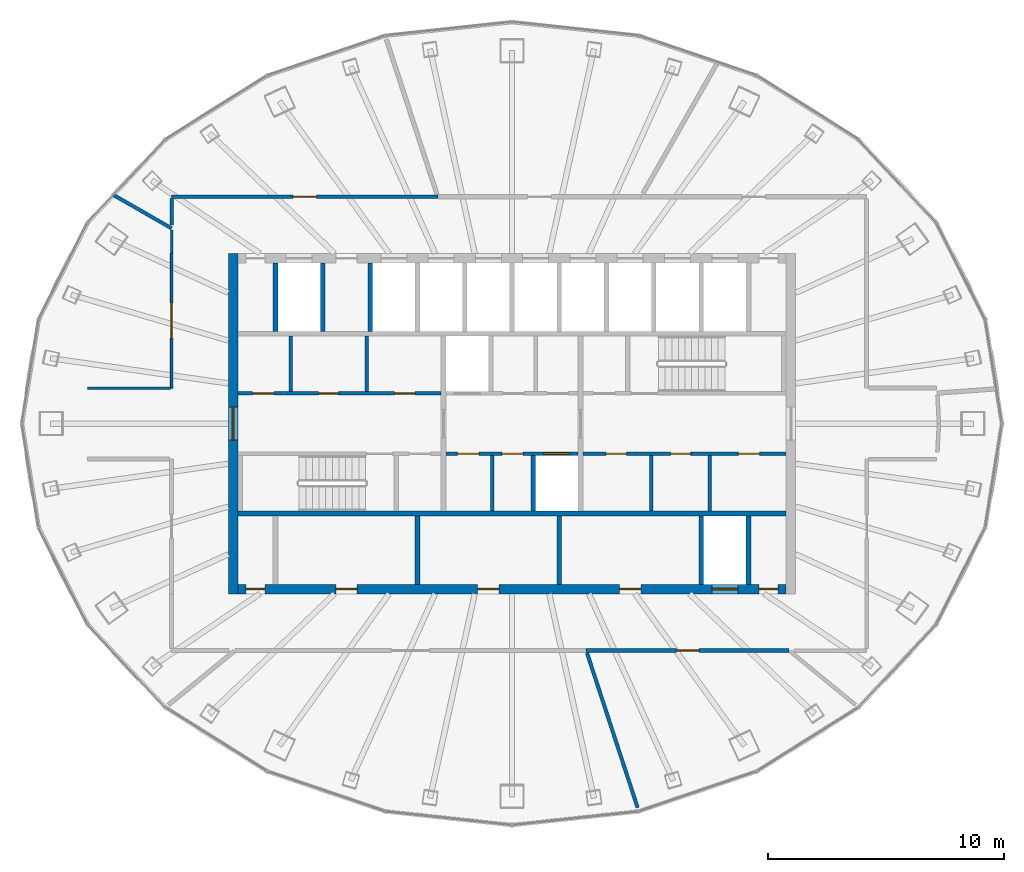
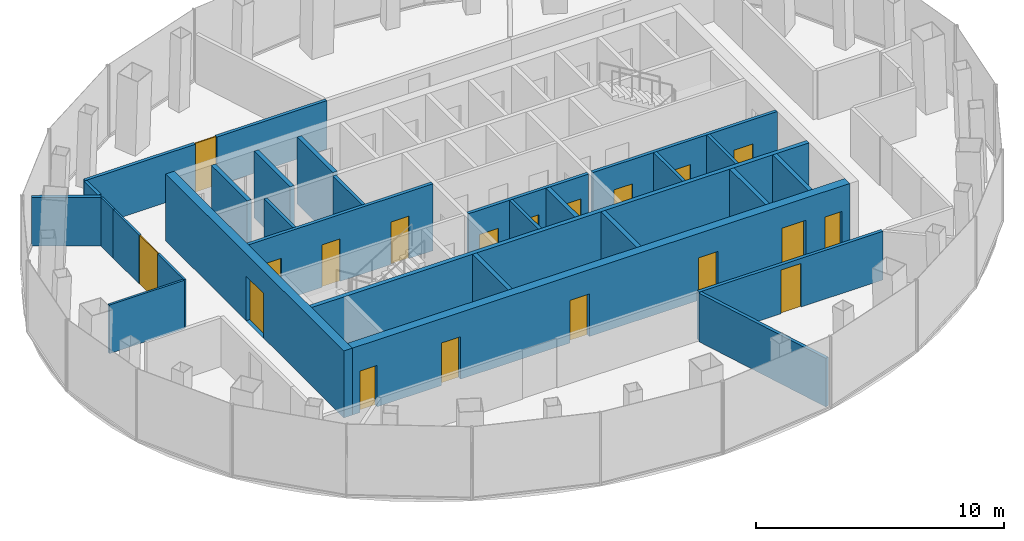
# One storey, part 8 of 11: 27 walls, 19 doors, 19 openings.
"""IFC4 building model written with IfcOpenShell, lengths in metres."""

from ifc_helpers import new_model, si_unit, direction, frame, frame_2d, origin, place, context, subcontext, project, spatial, rectangle, extrude, material, layer, layer_set, type_object, element, fill, save


model = new_model("IFC4")

# Units and contexts
model_context = context("Model", 3, precision=1e-05, world=origin(), true_north=direction((0.0, 1.0)))
body_context = subcontext(model_context, "Body", "Model", "MODEL_VIEW")
ifc_project = project(units=[si_unit("LENGTHUNIT", "METRE"), si_unit("AREAUNIT", "SQUARE_METRE"), si_unit("VOLUMEUNIT", "CUBIC_METRE"), si_unit("PLANEANGLEUNIT", "RADIAN"), si_unit("MASSUNIT", "GRAM", prefix="KILO")], contexts=[model_context])

# Site, building, storey
site_placement = place(None, origin())
site = spatial("IfcSite", under=ifc_project, at=site_placement, CompositionType="ELEMENT")
building_placement = place(site_placement, origin())
building = spatial("IfcBuilding", under=site, at=building_placement, Name="Siaravel Broadcast Tower", CompositionType="ELEMENT")
storey_placement = place(building_placement, frame((0.0, 0.0, 257.800048828125)))
storey = spatial("IfcBuildingStorey", under=building, at=storey_placement, Name="L63", CompositionType="ELEMENT", Elevation=257.800048828125)

# Walls
ifc_material_1 = material(Name="Concrete blockwork", Category="masonry")
ifc_layer_1 = layer(ifc_material_1, 0.14990234375)
ifc_layer_set_1 = layer_set([ifc_layer_1], Name="Concrete blockwork")
wall_type_1 = type_object("IfcWallType", Name="Core partition 150", PredefinedType="PARTITIONING", material=ifc_layer_set_1)
for number, where, z_axis, x_axis, name in (
    (1, (-9.366943359375, 1.35009765625, 0.0), (0.0, 0.0, 1.0), (0.0, 1.0, 0.0), "L63 core partition PNW0"),
    (2, (-6.14599609375, 1.35009765625, 0.0), (0.0, 0.0, 1.0), (0.0, 1.0, 0.0), "L63 core partition PNW1"),
    (3, (5.89697265625, -3.699951171875, 0.0), (0.0, 0.0, 1.0), (0.0, 1.0, 0.0), "L63 core partition PSE0"),
    (4, (8.37109375, -3.699951171875, 0.0), (0.0, 0.0, 1.0), (0.0, 1.0, 0.0), "L63 core partition PSE1"),
    (5, (-0.827392578125, -3.699951171875, 0.0), (0.0, 0.0, 1.0), (0.0, 1.0, 0.0), "L63 core partition PSM0"),
):
    element("IfcWall", number, at=place(storey_placement, frame(where, z_axis=z_axis, x_axis=x_axis)), inside=storey, type_object=wall_type_1, Name=name, PredefinedType="PARTITIONING", context=body_context, shape_type="SweptSolid", body=[
        extrude(rectangle(XDim=2.349853515625, YDim=0.14990234375, at=frame_2d((1.1748046875, 0.0))), origin(), (0.0, 0.0, 1.0), 3.300048828125),
    ])
ifc_layer_2 = layer(ifc_material_1, 0.199951171875)
ifc_layer_set_2 = layer_set([ifc_layer_2], Name="Concrete blockwork")
wall_type_2 = type_object("IfcWallType", Name="Core partition 200", PredefinedType="PARTITIONING", material=ifc_layer_set_2)
for number, where, z_axis, x_axis, name in (
    (6, (-4.0, -6.800048828125, 0.0), (0.0, 0.0, 1.0), (0.0, 1.0, 0.0), "L63 core partition PFS0"),
    (7, (2.0, -6.800048828125, 0.0), (0.0, 0.0, 1.0), (0.0, 1.0, 0.0), "L63 core partition PFS3"),
):
    element("IfcWall", number, at=place(storey_placement, frame(where, z_axis=z_axis, x_axis=x_axis)), inside=storey, type_object=wall_type_2, Name=name, PredefinedType="PARTITIONING", context=body_context, shape_type="SweptSolid", body=[
        extrude(rectangle(XDim=2.900146484375, YDim=0.199951171875, at=frame_2d((1.4501953125, 0.0))), origin(), (0.0, 0.0, 1.0), 3.300048828125),
    ])

# Wall, opening, door
ifc_material_2 = material(Name="Concrete C60/75", Category="concrete")
ifc_layer_3 = layer(ifc_material_2, 0.39990234375)
ifc_layer_set_3 = layer_set([ifc_layer_3], Name="Concrete C60/75")
wall_type_3 = type_object("IfcWallType", Name="Core wall 400", PredefinedType="SHEAR", material=ifc_layer_set_3)
wall_1_placement = place(storey_placement, frame((-11.800048828125, -7.199951171875, 0.0), z_axis=(0.0, 0.0, 1.0), x_axis=(0.0, 1.0, 0.0)))
wall_1 = element("IfcWall", 8, at=wall_1_placement, inside=storey, type_object=wall_type_3, Name="L63 core wall OW", PredefinedType="SHEAR", context=body_context, shape_type="SweptSolid", body=[
    extrude(rectangle(XDim=14.39990234375, YDim=0.39990234375, at=frame_2d((7.199951171875, 0.0))), origin(), (0.0, 0.0, 1.0), 3.300048828125),
])
opening_1_placement = place(wall_1_placement, frame((6.5, 0.0, 0.0)))
opening_1 = element("IfcOpeningElement", 9, at=opening_1_placement, cuts=wall_1, Name="Opening L63-DX-W", PredefinedType="OPENING", context=body_context, shape_type="SweptSolid", body=[
    extrude(rectangle(XDim=1.39990234375, YDim=2.199951171875, at=frame_2d((0.699951171875, 1.10009765625))), frame((0.0, 0.2099609375, 0.0), z_axis=(0.0, -1.0, 0.0), x_axis=(1.0, 0.0, 0.0)), (0.0, 0.0, 1.0), 0.419921875),
])
ifc_material_3 = material(Name="Steel", Category="steel")
door_type_1 = type_object("IfcDoorType", Name="Core exit door 1400", OperationType="DOUBLE_DOOR_SINGLE_SWING", PredefinedType="DOOR", material=ifc_material_3)
door_1_placement = place(opening_1_placement, origin())
door_1 = element("IfcDoor", 10, at=door_1_placement, inside=storey, type_object=door_type_1, Name="L63 door DX-W", OperationType="DOUBLE_DOOR_SINGLE_SWING", OverallHeight=2.199951171875, OverallWidth=1.39990234375, PredefinedType="DOOR", context=body_context, shape_type="SweptSolid", body=[
    extrude(rectangle(XDim=1.39990234375, YDim=2.199951171875, at=frame_2d((0.699951171875, 1.10009765625))), frame((0.0, 0.02490234375, 0.0), z_axis=(0.0, -1.0, 0.0), x_axis=(1.0, 0.0, 0.0)), (0.0, 0.0, 1.0), 0.050048828125),
])
fill(opening_1, door_1)

# Wall, openings, doors
wall_2_placement = place(storey_placement, frame((-11.60009765625, -7.0, 0.0), z_axis=(0.0, 0.0, 1.0), x_axis=(1.0, 0.0, 0.0)))
wall_2 = element("IfcWall", 11, at=wall_2_placement, inside=storey, type_object=wall_type_3, Name="L63 core wall OS", PredefinedType="SHEAR", context=body_context, shape_type="SweptSolid", body=[
    extrude(rectangle(XDim=23.2001953125, YDim=0.39990234375, at=frame_2d((11.60009765625, 0.0))), origin(), (0.0, 0.0, 1.0), 3.300048828125),
])
opening_2_placement = place(wall_2_placement, frame((20.050048828125, 0.0, 0.0)))
opening_2 = element("IfcOpeningElement", 12, at=opening_2_placement, cuts=wall_2, Name="Opening LD-SV1-L63", PredefinedType="OPENING", context=body_context, shape_type="SweptSolid", body=[
    extrude(rectangle(XDim=1.10009765625, YDim=2.199951171875, at=frame_2d((0.550048828125, 1.10009765625))), frame((0.0, 0.2099609375, 0.0), z_axis=(0.0, -1.0, 0.0), x_axis=(1.0, 0.0, 0.0)), (0.0, 0.0, 1.0), 0.419921875),
])
opening_3_placement = place(wall_2_placement, frame((4.14990234375, 0.0, 0.0)))
opening_3 = element("IfcOpeningElement", 13, at=opening_3_placement, cuts=wall_2, Name="Opening L63-DFS0", PredefinedType="OPENING", context=body_context, shape_type="SweptSolid", body=[
    extrude(rectangle(XDim=0.89990234375, YDim=2.10009765625, at=frame_2d((0.449951171875, 1.050048828125))), frame((0.0, 0.2099609375, 0.0), z_axis=(0.0, -1.0, 0.0), x_axis=(1.0, 0.0, 0.0)), (0.0, 0.0, 1.0), 0.419921875),
])
opening_4_placement = place(wall_2_placement, frame((10.14990234375, 0.0, 0.0)))
opening_4 = element("IfcOpeningElement", 14, at=opening_4_placement, cuts=wall_2, Name="Opening L63-DFS3", PredefinedType="OPENING", context=body_context, shape_type="SweptSolid", body=[
    extrude(rectangle(XDim=0.89990234375, YDim=2.10009765625, at=frame_2d((0.449951171875, 1.050048828125))), frame((0.0, 0.2099609375, 0.0), z_axis=(0.0, -1.0, 0.0), x_axis=(1.0, 0.0, 0.0)), (0.0, 0.0, 1.0), 0.419921875),
])
opening_5_placement = place(wall_2_placement, frame((16.14990234375, 0.0, 0.0)))
opening_5 = element("IfcOpeningElement", 15, at=opening_5_placement, cuts=wall_2, Name="Opening L63-DFS6", PredefinedType="OPENING", context=body_context, shape_type="SweptSolid", body=[
    extrude(rectangle(XDim=0.89990234375, YDim=2.10009765625, at=frame_2d((0.449951171875, 1.050048828125))), frame((0.0, 0.2099609375, 0.0), z_axis=(0.0, -1.0, 0.0), x_axis=(1.0, 0.0, 0.0)), (0.0, 0.0, 1.0), 0.419921875),
])
opening_6_placement = place(wall_2_placement, frame((0.35009765625, 0.0, 0.0)))
opening_6 = element("IfcOpeningElement", 16, at=opening_6_placement, cuts=wall_2, Name="Opening L63-DRSW", PredefinedType="OPENING", context=body_context, shape_type="SweptSolid", body=[
    extrude(rectangle(XDim=0.800048828125, YDim=2.050048828125, at=frame_2d((0.39990234375, 1.02490234375))), frame((0.0, 0.2099609375, 0.0), z_axis=(0.0, -1.0, 0.0), x_axis=(1.0, 0.0, 0.0)), (0.0, 0.0, 1.0), 0.419921875),
])
opening_7_placement = place(wall_2_placement, frame((22.050048828125, 0.0, 0.0)))
opening_7 = element("IfcOpeningElement", 17, at=opening_7_placement, cuts=wall_2, Name="Opening L63-DRSE", PredefinedType="OPENING", context=body_context, shape_type="SweptSolid", body=[
    extrude(rectangle(XDim=0.800048828125, YDim=2.050048828125, at=frame_2d((0.39990234375, 1.02490234375))), frame((0.0, 0.2099609375, 0.0), z_axis=(0.0, -1.0, 0.0), x_axis=(1.0, 0.0, 0.0)), (0.0, 0.0, 1.0), 0.419921875),
])
ifc_material_4 = material(Name="Timber veneer", Category="wood")
door_type_2 = type_object("IfcDoorType", Name="Core room door 900", OperationType="SINGLE_SWING_LEFT", PredefinedType="DOOR", material=ifc_material_4)
door_2_placement = place(opening_3_placement, origin())
door_2 = element("IfcDoor", 18, at=door_2_placement, inside=storey, type_object=door_type_2, Name="L63 door DFS0", OperationType="SINGLE_SWING_LEFT", OverallHeight=2.10009765625, OverallWidth=0.89990234375, PredefinedType="DOOR", context=body_context, shape_type="SweptSolid", body=[
    extrude(rectangle(XDim=0.89990234375, YDim=2.10009765625, at=frame_2d((0.449951171875, 1.050048828125))), frame((0.0, 0.02490234375, 0.0), z_axis=(0.0, -1.0, 0.0), x_axis=(1.0, 0.0, 0.0)), (0.0, 0.0, 1.0), 0.050048828125),
])
fill(opening_3, door_2)
door_3_placement = place(opening_4_placement, origin())
door_3 = element("IfcDoor", 19, at=door_3_placement, inside=storey, type_object=door_type_2, Name="L63 door DFS3", OperationType="SINGLE_SWING_LEFT", OverallHeight=2.10009765625, OverallWidth=0.89990234375, PredefinedType="DOOR", context=body_context, shape_type="SweptSolid", body=[
    extrude(rectangle(XDim=0.89990234375, YDim=2.10009765625, at=frame_2d((0.449951171875, 1.050048828125))), frame((0.0, 0.02490234375, 0.0), z_axis=(0.0, -1.0, 0.0), x_axis=(1.0, 0.0, 0.0)), (0.0, 0.0, 1.0), 0.050048828125),
])
fill(opening_4, door_3)
door_4_placement = place(opening_5_placement, origin())
door_4 = element("IfcDoor", 20, at=door_4_placement, inside=storey, type_object=door_type_2, Name="L63 door DFS6", OperationType="SINGLE_SWING_LEFT", OverallHeight=2.10009765625, OverallWidth=0.89990234375, PredefinedType="DOOR", context=body_context, shape_type="SweptSolid", body=[
    extrude(rectangle(XDim=0.89990234375, YDim=2.10009765625, at=frame_2d((0.449951171875, 1.050048828125))), frame((0.0, 0.02490234375, 0.0), z_axis=(0.0, -1.0, 0.0), x_axis=(1.0, 0.0, 0.0)), (0.0, 0.0, 1.0), 0.050048828125),
])
fill(opening_5, door_4)
door_type_3 = type_object("IfcDoorType", Name="Riser door 800", OperationType="SINGLE_SWING_LEFT", PredefinedType="DOOR", material=ifc_material_3)
door_5_placement = place(opening_6_placement, origin())
door_5 = element("IfcDoor", 21, at=door_5_placement, inside=storey, type_object=door_type_3, Name="L63 door DRSW", OperationType="SINGLE_SWING_LEFT", OverallHeight=2.050048828125, OverallWidth=0.800048828125, PredefinedType="DOOR", context=body_context, shape_type="SweptSolid", body=[
    extrude(rectangle(XDim=0.800048828125, YDim=2.050048828125, at=frame_2d((0.39990234375, 1.02490234375))), frame((0.0, 0.02490234375, 0.0), z_axis=(0.0, -1.0, 0.0), x_axis=(1.0, 0.0, 0.0)), (0.0, 0.0, 1.0), 0.050048828125),
])
fill(opening_6, door_5)
door_6_placement = place(opening_7_placement, origin())
door_6 = element("IfcDoor", 22, at=door_6_placement, inside=storey, type_object=door_type_3, Name="L63 door DRSE", OperationType="SINGLE_SWING_LEFT", OverallHeight=2.050048828125, OverallWidth=0.800048828125, PredefinedType="DOOR", context=body_context, shape_type="SweptSolid", body=[
    extrude(rectangle(XDim=0.800048828125, YDim=2.050048828125, at=frame_2d((0.39990234375, 1.02490234375))), frame((0.0, 0.02490234375, 0.0), z_axis=(0.0, -1.0, 0.0), x_axis=(1.0, 0.0, 0.0)), (0.0, 0.0, 1.0), 0.050048828125),
])
fill(opening_7, door_6)
ifc_material_5 = material(Name="Stainless steel 316L", Category="steel")
door_type_4 = type_object("IfcDoorType", Name="Service lift landing door 1100", OperationType="DOUBLE_DOOR_SLIDING", PredefinedType="DOOR", material=ifc_material_5)
door_7_placement = place(opening_2_placement, origin())
door_7 = element("IfcDoor", 23, at=door_7_placement, inside=storey, type_object=door_type_4, Name="Landing door SV1 L63", OperationType="DOUBLE_DOOR_SLIDING", OverallHeight=2.199951171875, OverallWidth=1.10009765625, PredefinedType="DOOR", context=body_context, shape_type="SweptSolid", body=[
    extrude(rectangle(XDim=1.10009765625, YDim=2.199951171875, at=frame_2d((0.550048828125, 1.10009765625))), frame((0.0, 0.02490234375, 0.0), z_axis=(0.0, -1.0, 0.0), x_axis=(1.0, 0.0, 0.0)), (0.0, 0.0, 1.0), 0.050048828125),
])
fill(opening_2, door_7)

ifc_material_6 = material(Name="Gypsum board partition", Category="gypsum")
ifc_layer_4 = layer(ifc_material_6, 0.14990234375)
ifc_layer_set_4 = layer_set([ifc_layer_4], Name="Gypsum board partition")
wall_type_4 = type_object("IfcWallType", Name="Corridor wall 150", PredefinedType="PARTITIONING", material=ifc_layer_set_4)
wall_3_placement = place(storey_placement, frame((3.0, -1.27490234375, 0.0), z_axis=(0.0, 0.0, 1.0), x_axis=(1.0, 0.0, 0.0)))
wall_3 = element("IfcWall", 24, at=wall_3_placement, inside=storey, type_object=wall_type_4, Name="L63 core partition CSE", PredefinedType="PARTITIONING", context=body_context, shape_type="SweptSolid", body=[
    extrude(rectangle(XDim=8.60009765625, YDim=0.14990234375, at=frame_2d((4.300048828125, 0.0))), origin(), (0.0, 0.0, 1.0), 3.300048828125),
])
opening_8_placement = place(wall_3_placement, frame((0.986083984375, 0.0, 0.0)))
opening_8 = element("IfcOpeningElement", 25, at=opening_8_placement, cuts=wall_3, Name="Opening L63-DSE0", PredefinedType="OPENING", context=body_context, shape_type="SweptSolid", body=[
    extrude(rectangle(XDim=0.85009765625, YDim=2.10009765625, at=frame_2d((0.425048828125, 1.050048828125))), frame((0.0, 0.0849609375, 0.0), z_axis=(0.0, -1.0, 0.0), x_axis=(1.0, 0.0, 0.0)), (0.0, 0.0, 1.0), 0.169921875),
])
opening_9_placement = place(wall_3_placement, frame((3.708984375, 0.0, 0.0)))
opening_9 = element("IfcOpeningElement", 26, at=opening_9_placement, cuts=wall_3, Name="Opening L63-DSE1", PredefinedType="OPENING", context=body_context, shape_type="SweptSolid", body=[
    extrude(rectangle(XDim=0.85009765625, YDim=2.10009765625, at=frame_2d((0.425048828125, 1.050048828125))), frame((0.0, 0.0849609375, 0.0), z_axis=(0.0, -1.0, 0.0), x_axis=(1.0, 0.0, 0.0)), (0.0, 0.0, 1.0), 0.169921875),
])
opening_10_placement = place(wall_3_placement, frame((6.572998046875, 0.0, 0.0)))
opening_10 = element("IfcOpeningElement", 27, at=opening_10_placement, cuts=wall_3, Name="Opening L63-DSE2", PredefinedType="OPENING", context=body_context, shape_type="SweptSolid", body=[
    extrude(rectangle(XDim=0.89990234375, YDim=2.10009765625, at=frame_2d((0.449951171875, 1.050048828125))), frame((0.0, 0.0849609375, 0.0), z_axis=(0.0, -1.0, 0.0), x_axis=(1.0, 0.0, 0.0)), (0.0, 0.0, 1.0), 0.169921875),
])
door_8_placement = place(opening_10_placement, origin())
door_8 = element("IfcDoor", 28, at=door_8_placement, inside=storey, type_object=door_type_2, Name="L63 door DSE2", OperationType="SINGLE_SWING_LEFT", OverallHeight=2.10009765625, OverallWidth=0.89990234375, PredefinedType="DOOR", context=body_context, shape_type="SweptSolid", body=[
    extrude(rectangle(XDim=0.89990234375, YDim=2.10009765625, at=frame_2d((0.449951171875, 1.050048828125))), frame((0.0, 0.02490234375, 0.0), z_axis=(0.0, -1.0, 0.0), x_axis=(1.0, 0.0, 0.0)), (0.0, 0.0, 1.0), 0.050048828125),
])
fill(opening_10, door_8)
door_type_5 = type_object("IfcDoorType", Name="Core toilet door 850", OperationType="SINGLE_SWING_LEFT", PredefinedType="DOOR", material=ifc_material_4)
door_9_placement = place(opening_8_placement, origin())
door_9 = element("IfcDoor", 29, at=door_9_placement, inside=storey, type_object=door_type_5, Name="L63 door DSE0", OperationType="SINGLE_SWING_LEFT", OverallHeight=2.10009765625, OverallWidth=0.85009765625, PredefinedType="DOOR", context=body_context, shape_type="SweptSolid", body=[
    extrude(rectangle(XDim=0.85009765625, YDim=2.10009765625, at=frame_2d((0.425048828125, 1.050048828125))), frame((0.0, 0.02490234375, 0.0), z_axis=(0.0, -1.0, 0.0), x_axis=(1.0, 0.0, 0.0)), (0.0, 0.0, 1.0), 0.050048828125),
])
fill(opening_8, door_9)
door_10_placement = place(opening_9_placement, origin())
door_10 = element("IfcDoor", 30, at=door_10_placement, inside=storey, type_object=door_type_5, Name="L63 door DSE1", OperationType="SINGLE_SWING_LEFT", OverallHeight=2.10009765625, OverallWidth=0.85009765625, PredefinedType="DOOR", context=body_context, shape_type="SweptSolid", body=[
    extrude(rectangle(XDim=0.85009765625, YDim=2.10009765625, at=frame_2d((0.425048828125, 1.050048828125))), frame((0.0, 0.02490234375, 0.0), z_axis=(0.0, -1.0, 0.0), x_axis=(1.0, 0.0, 0.0)), (0.0, 0.0, 1.0), 0.050048828125),
])
fill(opening_9, door_10)

wall_4_placement = place(storey_placement, frame((-11.60009765625, 1.27490234375, 0.0), z_axis=(0.0, 0.0, 1.0), x_axis=(1.0, 0.0, 0.0)))
wall_4 = element("IfcWall", 31, at=wall_4_placement, inside=storey, type_object=wall_type_4, Name="L63 core partition CNW", PredefinedType="PARTITIONING", context=body_context, shape_type="SweptSolid", body=[
    extrude(rectangle(XDim=8.60009765625, YDim=0.14990234375, at=frame_2d((4.300048828125, 0.0))), origin(), (0.0, 0.0, 1.0), 3.300048828125),
])
opening_11_placement = place(wall_4_placement, frame((0.62890625, 0.0, 0.0)))
opening_11 = element("IfcOpeningElement", 32, at=opening_11_placement, cuts=wall_4, Name="Opening L63-DNW0", PredefinedType="OPENING", context=body_context, shape_type="SweptSolid", body=[
    extrude(rectangle(XDim=0.89990234375, YDim=2.10009765625, at=frame_2d((0.449951171875, 1.050048828125))), frame((0.0, 0.0849609375, 0.0), z_axis=(0.0, -1.0, 0.0), x_axis=(1.0, 0.0, 0.0)), (0.0, 0.0, 1.0), 0.169921875),
])
opening_12_placement = place(wall_4_placement, frame((3.41845703125, 0.0, 0.0)))
opening_12 = element("IfcOpeningElement", 33, at=opening_12_placement, cuts=wall_4, Name="Opening L63-DNW1", PredefinedType="OPENING", context=body_context, shape_type="SweptSolid", body=[
    extrude(rectangle(XDim=0.85009765625, YDim=2.10009765625, at=frame_2d((0.425048828125, 1.050048828125))), frame((0.0, 0.0849609375, 0.0), z_axis=(0.0, -1.0, 0.0), x_axis=(1.0, 0.0, 0.0)), (0.0, 0.0, 1.0), 0.169921875),
])
opening_13_placement = place(wall_4_placement, frame((6.639404296875, 0.0, 0.0)))
opening_13 = element("IfcOpeningElement", 34, at=opening_13_placement, cuts=wall_4, Name="Opening L63-DNW2", PredefinedType="OPENING", context=body_context, shape_type="SweptSolid", body=[
    extrude(rectangle(XDim=0.85009765625, YDim=2.10009765625, at=frame_2d((0.425048828125, 1.050048828125))), frame((0.0, 0.0849609375, 0.0), z_axis=(0.0, -1.0, 0.0), x_axis=(1.0, 0.0, 0.0)), (0.0, 0.0, 1.0), 0.169921875),
])
door_11_placement = place(opening_11_placement, origin())
door_11 = element("IfcDoor", 35, at=door_11_placement, inside=storey, type_object=door_type_2, Name="L63 door DNW0", OperationType="SINGLE_SWING_LEFT", OverallHeight=2.10009765625, OverallWidth=0.89990234375, PredefinedType="DOOR", context=body_context, shape_type="SweptSolid", body=[
    extrude(rectangle(XDim=0.89990234375, YDim=2.10009765625, at=frame_2d((0.449951171875, 1.050048828125))), frame((0.0, 0.02490234375, 0.0), z_axis=(0.0, -1.0, 0.0), x_axis=(1.0, 0.0, 0.0)), (0.0, 0.0, 1.0), 0.050048828125),
])
fill(opening_11, door_11)
door_12_placement = place(opening_12_placement, origin())
door_12 = element("IfcDoor", 36, at=door_12_placement, inside=storey, type_object=door_type_5, Name="L63 door DNW1", OperationType="SINGLE_SWING_LEFT", OverallHeight=2.10009765625, OverallWidth=0.85009765625, PredefinedType="DOOR", context=body_context, shape_type="SweptSolid", body=[
    extrude(rectangle(XDim=0.85009765625, YDim=2.10009765625, at=frame_2d((0.425048828125, 1.050048828125))), frame((0.0, 0.02490234375, 0.0), z_axis=(0.0, -1.0, 0.0), x_axis=(1.0, 0.0, 0.0)), (0.0, 0.0, 1.0), 0.050048828125),
])
fill(opening_12, door_12)
door_13_placement = place(opening_13_placement, origin())
door_13 = element("IfcDoor", 37, at=door_13_placement, inside=storey, type_object=door_type_5, Name="L63 door DNW2", OperationType="SINGLE_SWING_LEFT", OverallHeight=2.10009765625, OverallWidth=0.85009765625, PredefinedType="DOOR", context=body_context, shape_type="SweptSolid", body=[
    extrude(rectangle(XDim=0.85009765625, YDim=2.10009765625, at=frame_2d((0.425048828125, 1.050048828125))), frame((0.0, 0.02490234375, 0.0), z_axis=(0.0, -1.0, 0.0), x_axis=(1.0, 0.0, 0.0)), (0.0, 0.0, 1.0), 0.050048828125),
])
fill(opening_13, door_13)

# Wall, opening, door
wall_5_placement = place(storey_placement, frame((-3.140380859375, 9.60009765625, 0.0), z_axis=(0.0, 0.0, 1.0), x_axis=(-1.0, 0.0, 0.0)))
wall_5 = element("IfcWall", 38, at=wall_5_placement, inside=storey, type_object=wall_type_4, Name="L63 partition 2", PredefinedType="PARTITIONING", context=body_context, shape_type="SweptSolid", body=[
    extrude(rectangle(XDim=11.259521484375, YDim=0.14990234375, at=frame_2d((5.6298828125, 0.0))), origin(), (0.0, 0.0, 1.0), 2.39990234375),
])
opening_14_placement = place(wall_5_placement, frame((5.1298828125, 0.0, 0.0)))
opening_14 = element("IfcOpeningElement", 39, at=opening_14_placement, cuts=wall_5, Name="Opening L63-007", PredefinedType="OPENING", context=body_context, shape_type="SweptSolid", body=[
    extrude(rectangle(XDim=1.0, YDim=2.39990234375, at=frame_2d((0.5, 1.199951171875))), frame((0.0, 0.0849609375, 0.0), z_axis=(0.0, -1.0, 0.0), x_axis=(1.0, 0.0, 0.0)), (0.0, 0.0, 1.0), 0.169921875),
])
door_type_6 = type_object("IfcDoorType", Name="Executive office door 1000", OperationType="SINGLE_SWING_LEFT", PredefinedType="DOOR", material=ifc_material_4)
door_14_placement = place(opening_14_placement, origin())
door_14 = element("IfcDoor", 40, at=door_14_placement, inside=storey, type_object=door_type_6, Name="L63 door to Executive office", OperationType="SINGLE_SWING_LEFT", OverallHeight=2.39990234375, OverallWidth=1.0, PredefinedType="DOOR", context=body_context, shape_type="SweptSolid", body=[
    extrude(rectangle(XDim=1.0, YDim=2.39990234375, at=frame_2d((0.5, 1.199951171875))), frame((0.0, 0.02490234375, 0.0), z_axis=(0.0, -1.0, 0.0), x_axis=(1.0, 0.0, 0.0)), (0.0, 0.0, 1.0), 0.050048828125),
])
fill(opening_14, door_14)

wall_6_placement = place(storey_placement, frame((3.140380859375, -9.60009765625, 0.0), z_axis=(0.0, 0.0, 1.0), x_axis=(1.0, 0.0, 0.0)))
wall_6 = element("IfcWall", 41, at=wall_6_placement, inside=storey, type_object=wall_type_4, Name="L63 partition 5", PredefinedType="PARTITIONING", context=body_context, shape_type="SweptSolid", body=[
    extrude(rectangle(XDim=8.57958984375, YDim=0.14990234375, at=frame_2d((4.289794921875, 0.0))), origin(), (0.0, 0.0, 1.0), 2.39990234375),
])
opening_15_placement = place(wall_6_placement, frame((3.814697265625, 0.0, 0.0)))
opening_15 = element("IfcOpeningElement", 42, at=opening_15_placement, cuts=wall_6, Name="Opening L63-003", PredefinedType="OPENING", context=body_context, shape_type="SweptSolid", body=[
    extrude(rectangle(XDim=0.949951171875, YDim=2.14990234375, at=frame_2d((0.47509765625, 1.074951171875))), frame((0.0, 0.0849609375, 0.0), z_axis=(0.0, -1.0, 0.0), x_axis=(1.0, 0.0, 0.0)), (0.0, 0.0, 1.0), 0.169921875),
])
door_type_7 = type_object("IfcDoorType", Name="Office door 950", OperationType="SINGLE_SWING_LEFT", PredefinedType="DOOR", material=ifc_material_4)
door_15_placement = place(opening_15_placement, origin())
door_15 = element("IfcDoor", 43, at=door_15_placement, inside=storey, type_object=door_type_7, Name="L63 door to Reception", OperationType="SINGLE_SWING_LEFT", OverallHeight=2.14990234375, OverallWidth=0.949951171875, PredefinedType="DOOR", context=body_context, shape_type="SweptSolid", body=[
    extrude(rectangle(XDim=0.949951171875, YDim=2.14990234375, at=frame_2d((0.47509765625, 1.074951171875))), frame((0.0, 0.02490234375, 0.0), z_axis=(0.0, -1.0, 0.0), x_axis=(1.0, 0.0, 0.0)), (0.0, 0.0, 1.0), 0.050048828125),
])
fill(opening_15, door_15)

# Wall
wall_7_placement = place(storey_placement, frame((-14.39990234375, 9.52294921875, 0.0), z_axis=(0.0, 0.0, 1.0), x_axis=(0.0, -1.0, 0.0)))
element("IfcWall", 44, at=wall_7_placement, inside=storey, type_object=wall_type_4, Name="L63 partition 26", PredefinedType="PARTITIONING", context=body_context, shape_type="SweptSolid", body=[
    extrude(rectangle(XDim=1.132568359375, YDim=0.14990234375, at=frame_2d((0.56640625, 0.0))), origin(), (0.0, 0.0, 1.0), 2.39990234375),
])

# Wall, opening, door
ifc_material_7 = material(Name="Glazed aluminium partition", Category="aluminium")
ifc_layer_5 = layer(ifc_material_7, 0.10009765625)
ifc_layer_set_5 = layer_set([ifc_layer_5], Name="Glazed aluminium partition")
wall_type_5 = type_object("IfcWallType", Name="Glazed meeting room partition 100", PredefinedType="PARTITIONING", material=ifc_layer_set_5)
wall_8_placement = place(storey_placement, frame((-14.39990234375, 7.2119140625, 0.0), z_axis=(0.0, 0.0, 1.0), x_axis=(0.0, -1.0, 0.0)))
wall_8 = element("IfcWall", 45, at=wall_8_placement, inside=storey, type_object=wall_type_5, Name="L63 partition 10", PredefinedType="PARTITIONING", context=body_context, shape_type="SweptSolid", body=[
    extrude(rectangle(XDim=5.7119140625, YDim=0.10009765625, at=frame_2d((2.85595703125, 0.0))), origin(), (0.0, 0.0, 1.0), 2.39990234375),
])
opening_16_placement = place(wall_8_placement, frame((2.10595703125, 0.0, 0.0)))
opening_16 = element("IfcOpeningElement", 46, at=opening_16_placement, cuts=wall_8, Name="Opening L63-008", PredefinedType="OPENING", context=body_context, shape_type="SweptSolid", body=[
    extrude(rectangle(XDim=1.5, YDim=2.39990234375, at=frame_2d((0.75, 1.199951171875))), frame((0.0, 0.06005859375, 0.0), z_axis=(0.0, -1.0, 0.0), x_axis=(1.0, 0.0, 0.0)), (0.0, 0.0, 1.0), 0.1201171875),
])
door_type_8 = type_object("IfcDoorType", Name="Conference double door 1500", OperationType="DOUBLE_DOOR_SINGLE_SWING", PredefinedType="DOOR", material=ifc_material_4)
door_16_placement = place(opening_16_placement, origin())
door_16 = element("IfcDoor", 47, at=door_16_placement, inside=storey, type_object=door_type_8, Name="L63 door to Boardroom", OperationType="DOUBLE_DOOR_SINGLE_SWING", OverallHeight=2.39990234375, OverallWidth=1.5, PredefinedType="DOOR", context=body_context, shape_type="SweptSolid", body=[
    extrude(rectangle(XDim=1.5, YDim=2.39990234375, at=frame_2d((0.75, 1.199951171875))), frame((0.0, 0.02490234375, 0.0), z_axis=(0.0, -1.0, 0.0), x_axis=(1.0, 0.0, 0.0)), (0.0, 0.0, 1.0), 0.050048828125),
])
fill(opening_16, door_16)

# Walls
wall_9_placement = place(storey_placement, frame((-14.451904296875, 1.5, 0.0), z_axis=(0.0, 0.0, 1.0), x_axis=(-1.0, 0.0, 0.0)))
element("IfcWall", 48, at=wall_9_placement, inside=storey, type_object=wall_type_5, Name="L63 partition 16", PredefinedType="PARTITIONING", context=body_context, shape_type="SweptSolid", body=[
    extrude(rectangle(XDim=3.495849609375, YDim=0.10009765625, at=frame_2d((1.748046875, 0.0))), origin(), (0.0, 0.0, 1.0), 2.39990234375),
])
wall_10_placement = place(storey_placement, frame((-14.39990234375, 8.19189453125, 0.0), z_axis=(0.0, 0.0, 1.0), x_axis=(0.0, -1.0, 0.0)))
element("IfcWall", 49, at=wall_10_placement, inside=storey, type_object=wall_type_5, Name="L63 partition 29", PredefinedType="PARTITIONING", context=body_context, shape_type="SweptSolid", body=[
    extrude(rectangle(XDim=0.97900390625, YDim=0.10009765625, at=frame_2d((0.489501953125, 0.0))), origin(), (0.0, 0.0, 1.0), 2.39990234375),
])
ifc_layer_6 = layer(ifc_material_6, 0.14990234375)
ifc_layer_set_6 = layer_set([ifc_layer_6], Name="Gypsum board partition")
wall_type_6 = type_object("IfcWallType", Name="Room partition 150", PredefinedType="PARTITIONING", material=ifc_layer_set_6)
wall_11_placement = place(storey_placement, frame((5.315673828125, -16.25, 0.0), z_axis=(0.0, 0.0, 1.0), x_axis=(-0.310908731, 0.950439772, 0.0)))
element("IfcWall", 50, at=wall_11_placement, inside=storey, type_object=wall_type_6, Name="L63 partition 7", PredefinedType="PARTITIONING", context=body_context, shape_type="SweptSolid", body=[
    extrude(rectangle(XDim=6.891357421875, YDim=0.14990234375, at=frame_2d((3.44580078125, 0.0))), origin(), (0.0, 0.0, 1.0), 2.39990234375),
])
wall_12_placement = place(storey_placement, frame((-16.837890625, 9.657470703125, 0.0), z_axis=(0.0, 0.0, 1.0), x_axis=(0.86742946, -0.497560179, 0.0)))
element("IfcWall", 51, at=wall_12_placement, inside=storey, type_object=wall_type_6, Name="L63 partition 20", PredefinedType="PARTITIONING", context=body_context, shape_type="SweptSolid", body=[
    extrude(rectangle(XDim=2.810546875, YDim=0.14990234375, at=frame_2d((1.4052734375, 0.0))), origin(), (0.0, 0.0, 1.0), 2.39990234375),
])

# Wall, openings, doors
ifc_layer_7 = layer(ifc_material_2, 0.14990234375)
ifc_layer_set_7 = layer_set([ifc_layer_7], Name="Concrete C60/75")
wall_type_7 = type_object("IfcWallType", Name="Shaft wall 150", PredefinedType="SHEAR", material=ifc_layer_set_7)
wall_13_placement = place(storey_placement, frame((-2.800048828125, -1.27490234375, 0.0), z_axis=(0.0, 0.0, 1.0), x_axis=(1.0, 0.0, 0.0)))
wall_13 = element("IfcWall", 52, at=wall_13_placement, inside=storey, type_object=wall_type_7, Name="L63 core wall CSM", PredefinedType="SHEAR", context=body_context, shape_type="SweptSolid", body=[
    extrude(rectangle(XDim=5.60009765625, YDim=0.14990234375, at=frame_2d((2.800048828125, 0.0))), origin(), (0.0, 0.0, 1.0), 3.300048828125),
])
opening_17_placement = place(wall_13_placement, frame((4.14990234375, 0.0, 0.0)))
opening_17 = element("IfcOpeningElement", 53, at=opening_17_placement, cuts=wall_13, Name="Opening LD-FL2-L63", PredefinedType="OPENING", context=body_context, shape_type="SweptSolid", body=[
    extrude(rectangle(XDim=1.10009765625, YDim=2.199951171875, at=frame_2d((0.550048828125, 1.10009765625))), frame((0.0, 0.0849609375, 0.0), z_axis=(0.0, -1.0, 0.0), x_axis=(1.0, 0.0, 0.0)), (0.0, 0.0, 1.0), 0.169921875),
])
opening_18_placement = place(wall_13_placement, frame((0.498779296875, 0.0, 0.0)))
opening_18 = element("IfcOpeningElement", 54, at=opening_18_placement, cuts=wall_13, Name="Opening L63-DSM0", PredefinedType="OPENING", context=body_context, shape_type="SweptSolid", body=[
    extrude(rectangle(XDim=0.89990234375, YDim=2.10009765625, at=frame_2d((0.449951171875, 1.050048828125))), frame((0.0, 0.0849609375, 0.0), z_axis=(0.0, -1.0, 0.0), x_axis=(1.0, 0.0, 0.0)), (0.0, 0.0, 1.0), 0.169921875),
])
opening_19_placement = place(wall_13_placement, frame((2.373779296875, 0.0, 0.0)))
opening_19 = element("IfcOpeningElement", 55, at=opening_19_placement, cuts=wall_13, Name="Opening L63-DSM1", PredefinedType="OPENING", context=body_context, shape_type="SweptSolid", body=[
    extrude(rectangle(XDim=0.89990234375, YDim=2.10009765625, at=frame_2d((0.449951171875, 1.050048828125))), frame((0.0, 0.0849609375, 0.0), z_axis=(0.0, -1.0, 0.0), x_axis=(1.0, 0.0, 0.0)), (0.0, 0.0, 1.0), 0.169921875),
])
door_17_placement = place(opening_18_placement, origin())
door_17 = element("IfcDoor", 56, at=door_17_placement, inside=storey, type_object=door_type_2, Name="L63 door DSM0", OperationType="SINGLE_SWING_LEFT", OverallHeight=2.10009765625, OverallWidth=0.89990234375, PredefinedType="DOOR", context=body_context, shape_type="SweptSolid", body=[
    extrude(rectangle(XDim=0.89990234375, YDim=2.10009765625, at=frame_2d((0.449951171875, 1.050048828125))), frame((0.0, 0.02490234375, 0.0), z_axis=(0.0, -1.0, 0.0), x_axis=(1.0, 0.0, 0.0)), (0.0, 0.0, 1.0), 0.050048828125),
])
fill(opening_18, door_17)
door_18_placement = place(opening_19_placement, origin())
door_18 = element("IfcDoor", 57, at=door_18_placement, inside=storey, type_object=door_type_2, Name="L63 door DSM1", OperationType="SINGLE_SWING_LEFT", OverallHeight=2.10009765625, OverallWidth=0.89990234375, PredefinedType="DOOR", context=body_context, shape_type="SweptSolid", body=[
    extrude(rectangle(XDim=0.89990234375, YDim=2.10009765625, at=frame_2d((0.449951171875, 1.050048828125))), frame((0.0, 0.02490234375, 0.0), z_axis=(0.0, -1.0, 0.0), x_axis=(1.0, 0.0, 0.0)), (0.0, 0.0, 1.0), 0.050048828125),
])
fill(opening_19, door_18)
door_type_9 = type_object("IfcDoorType", Name="Firefighting lift landing door 1100", OperationType="DOUBLE_DOOR_SLIDING", PredefinedType="DOOR", material=ifc_material_5)
door_19_placement = place(opening_17_placement, origin())
door_19 = element("IfcDoor", 58, at=door_19_placement, inside=storey, type_object=door_type_9, Name="Landing door FL2 L63", OperationType="DOUBLE_DOOR_SLIDING", OverallHeight=2.199951171875, OverallWidth=1.10009765625, PredefinedType="DOOR", context=body_context, shape_type="SweptSolid", body=[
    extrude(rectangle(XDim=1.10009765625, YDim=2.199951171875, at=frame_2d((0.550048828125, 1.10009765625))), frame((0.0, 0.02490234375, 0.0), z_axis=(0.0, -1.0, 0.0), x_axis=(1.0, 0.0, 0.0)), (0.0, 0.0, 1.0), 0.050048828125),
])
fill(opening_17, door_19)

# Walls
ifc_layer_8 = layer(ifc_material_2, 0.199951171875)
ifc_layer_set_8 = layer_set([ifc_layer_8], Name="Concrete C60/75")
wall_type_8 = type_object("IfcWallType", Name="Shaft wall 200", PredefinedType="SHEAR", material=ifc_layer_set_8)
wall_14_placement = place(storey_placement, frame((-11.60009765625, -3.800048828125, 0.0), z_axis=(0.0, 0.0, 1.0), x_axis=(1.0, 0.0, 0.0)))
element("IfcWall", 59, at=wall_14_placement, inside=storey, type_object=wall_type_8, Name="L63 core wall BS", PredefinedType="SHEAR", context=body_context, shape_type="SweptSolid", body=[
    extrude(rectangle(XDim=23.2001953125, YDim=0.199951171875, at=frame_2d((11.60009765625, 0.0))), origin(), (0.0, 0.0, 1.0), 3.300048828125),
])
for number, where, z_axis, x_axis, name in (
    (60, (8.0, -6.800048828125, 0.0), (0.0, 0.0, 1.0), (0.0, 1.0, 0.0), "L63 core wall SWS9"),
    (61, (10.0, -6.800048828125, 0.0), (0.0, 0.0, 1.0), (0.0, 1.0, 0.0), "L63 core wall SWS10"),
    (62, (-10.0, 3.89990234375, 0.0), (0.0, 0.0, 1.0), (0.0, 1.0, 0.0), "L63 core wall SWN0"),
    (63, (-8.0, 3.89990234375, 0.0), (0.0, 0.0, 1.0), (0.0, 1.0, 0.0), "L63 core wall SWN1"),
    (64, (-6.0, 3.89990234375, 0.0), (0.0, 0.0, 1.0), (0.0, 1.0, 0.0), "L63 core wall SWN2"),
):
    element("IfcWall", number, at=place(storey_placement, frame(where, z_axis=z_axis, x_axis=x_axis)), inside=storey, type_object=wall_type_8, Name=name, PredefinedType="SHEAR", context=body_context, shape_type="SweptSolid", body=[
        extrude(rectangle(XDim=2.900146484375, YDim=0.199951171875, at=frame_2d((1.4501953125, 0.0))), origin(), (0.0, 0.0, 1.0), 3.300048828125),
    ])
wall_15_placement = place(storey_placement, frame((0.89990234375, -3.699951171875, 0.0), z_axis=(0.0, 0.0, 1.0), x_axis=(0.0, 1.0, 0.0)))
element("IfcWall", 65, at=wall_15_placement, inside=storey, type_object=wall_type_8, Name="L63 core wall FF2W", PredefinedType="SHEAR", context=body_context, shape_type="SweptSolid", body=[
    extrude(rectangle(XDim=2.349853515625, YDim=0.199951171875, at=frame_2d((1.1748046875, 0.0))), origin(), (0.0, 0.0, 1.0), 3.300048828125),
])

save(model, "model.ifc")
